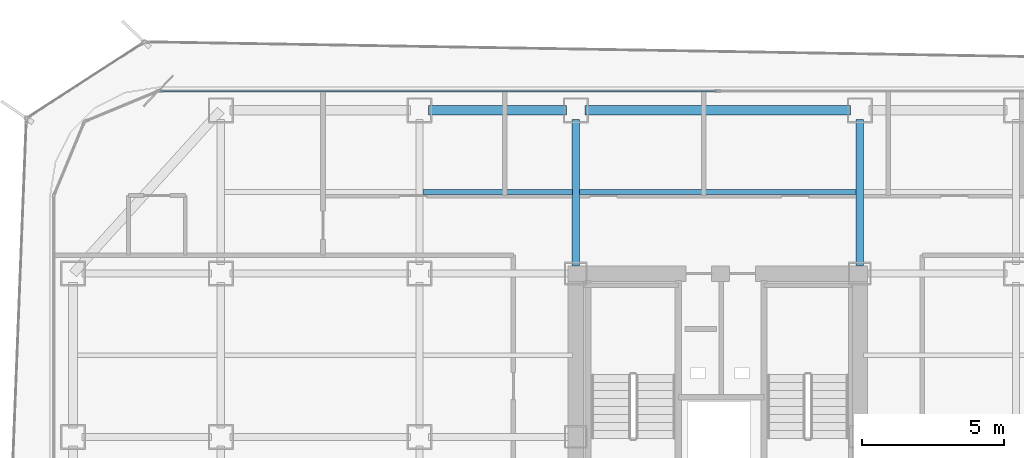
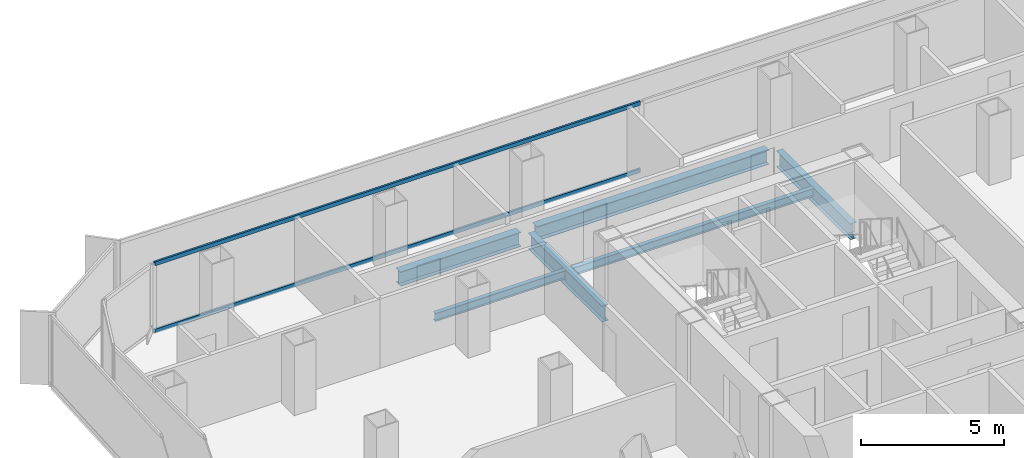
# One storey, part 11 of 21: 6 beams, 2 members, 1 element without a shape of its own.
"""IFC4 building model written with IfcOpenShell, lengths in metres."""

from ifc_helpers import new_model, si_unit, direction, frame, origin, origin_2d, place, context, subcontext, project, spatial, hollow_rectangle, i_section, extrude, source, transform, mapped, material, layer, layer_set, material_profile, profile_set, type_object, element, aggregate, save


model = new_model("IFC4")

# Units and contexts
model_context = context("Model", 3, precision=1e-05, world=origin(), true_north=direction((0.0, 1.0)))
body_context = subcontext(model_context, "Body", "Model", "MODEL_VIEW")
ifc_project = project(units=[si_unit("LENGTHUNIT", "METRE"), si_unit("AREAUNIT", "SQUARE_METRE"), si_unit("VOLUMEUNIT", "CUBIC_METRE"), si_unit("PLANEANGLEUNIT", "RADIAN"), si_unit("MASSUNIT", "GRAM", prefix="KILO")], contexts=[model_context])

# Site, building, storey
site_placement = place(None, origin())
site = spatial("IfcSite", under=ifc_project, at=site_placement, CompositionType="ELEMENT")
building_placement = place(site_placement, origin())
building = spatial("IfcBuilding", under=site, at=building_placement, Name="Kolveth Station Tower", CompositionType="ELEMENT")
storey_placement = place(building_placement, frame((0.0, 0.0, 124.699951171875)))
storey = spatial("IfcBuildingStorey", under=building, at=storey_placement, Name="L34", CompositionType="ELEMENT", Elevation=124.699951171875)

# Beams
ifc_material_1 = material(Name="Steel S355", Category="steel")
ifc_material_profile_1 = material_profile(ifc_material_1, i_section(OverallWidth=0.323974609375, OverallDepth=0.611083984375, WebThickness=0.0126953125, FlangeThickness=0.01904296875, at=origin_2d()), Name="W610x155")
ifc_profile_set_1 = profile_set([ifc_material_profile_1], Name="Steel S355")
beam_type_1 = type_object("IfcBeamType", Name="Beam_SP2", PredefinedType="SPANDREL", material=ifc_profile_set_1)
shared_shape_1 = source(origin(), body_context, "Body", "SweptSolid", [
    extrude(i_section(OverallWidth=0.323974609375, OverallDepth=0.611083984375, WebThickness=0.0126953125, FlangeThickness=0.01904296875, at=origin_2d()), origin(), (0.0, 0.0, 1.0), 4.85986328125),
])
beam_1_placement = place(storey_placement, frame((13.320068359375, 34.5, -0.555419921875), z_axis=(1.0, 0.0, 0.0), x_axis=(0.0, 1.0, 0.0)))
element("IfcBeam", 1, at=beam_1_placement, inside=storey, type_object=beam_type_1, Name="L34 Perimeter Spandrel BM-L34-PN-2", PredefinedType="SPANDREL", context=body_context, shape_type="MappedRepresentation", body=[
    mapped(shared_shape_1, transform((0.0, 0.0, 0.0), x_axis=(1.0, 0.0, 0.0), y_axis=(0.0, 1.0, 0.0), z_axis=(0.0, 0.0, 1.0), scale=1.0)),
])
shared_shape_2 = source(origin(), body_context, "Body", "SweptSolid", [
    extrude(i_section(OverallWidth=0.323974609375, OverallDepth=0.611083984375, WebThickness=0.0126953125, FlangeThickness=0.01904296875, at=origin_2d()), origin(), (0.0, 0.0, 1.0), 9.35986328125),
])
beam_2_placement = place(storey_placement, frame((18.820068359375, 34.5, -0.555419921875), z_axis=(1.0, 0.0, 0.0), x_axis=(0.0, 1.0, 0.0)))
element("IfcBeam", 2, at=beam_2_placement, inside=storey, type_object=beam_type_1, Name="L34 Perimeter Spandrel BM-L34-PN-3", PredefinedType="SPANDREL", context=body_context, shape_type="MappedRepresentation", body=[
    mapped(shared_shape_2, transform((0.0, 0.0, 0.0), x_axis=(1.0, 0.0, 0.0), y_axis=(0.0, 1.0, 0.0), z_axis=(0.0, 0.0, 1.0), scale=1.0)),
])
ifc_material_profile_2 = material_profile(ifc_material_1, i_section(OverallWidth=0.25390625, OverallDepth=0.68798828125, WebThickness=0.01318359375, FlangeThickness=0.02099609375, at=origin_2d()), Name="W690x152")
ifc_profile_set_2 = profile_set([ifc_material_profile_2], Name="Steel S355")
beam_type_2 = type_object("IfcBeamType", Name="Beam_B4", PredefinedType="BEAM", material=ifc_profile_set_2)
shared_shape_3 = source(origin(), body_context, "Body", "SweptSolid", [
    extrude(i_section(OverallWidth=0.25390625, OverallDepth=0.68798828125, WebThickness=0.01318359375, FlangeThickness=0.02099609375, at=origin_2d()), origin(), (0.0, 0.0, 1.0), 5.14990234375),
])
for number, where, z_axis, x_axis, name in (
    (3, (18.5, 29.030029296875, -0.593994140625), (0.0, 1.0, 0.0), (-1.0, 0.0, 0.0), "L34 Primary Girder BM-L34-GX185-6"),
    (4, (28.5, 29.030029296875, -0.593994140625), (0.0, 1.0, 0.0), (-1.0, 0.0, 0.0), "L34 Primary Girder BM-L34-GX285-6"),
):
    element("IfcBeam", number, at=place(storey_placement, frame(where, z_axis=z_axis, x_axis=x_axis)), inside=storey, type_object=beam_type_2, Name=name, PredefinedType="BEAM", context=body_context, shape_type="MappedRepresentation", body=[
        mapped(shared_shape_3, transform((0.0, 0.0, 0.0), x_axis=(1.0, 0.0, 0.0), y_axis=(0.0, 1.0, 0.0), z_axis=(0.0, 0.0, 1.0), scale=1.0)),
    ])
ifc_material_profile_3 = material_profile(ifc_material_1, i_section(OverallWidth=0.1708984375, OverallDepth=0.35205078125, WebThickness=0.0068359375, FlangeThickness=0.009765625, at=origin_2d()), Name="W360x44")
ifc_profile_set_3 = profile_set([ifc_material_profile_3], Name="Steel S355")
beam_type_3 = type_object("IfcBeamType", Name="Beam_J2", PredefinedType="JOIST", material=ifc_profile_set_3)
shared_shape_4 = source(origin(), body_context, "Body", "SweptSolid", [
    extrude(i_section(OverallWidth=0.1708984375, OverallDepth=0.35205078125, WebThickness=0.0068359375, FlangeThickness=0.009765625, at=origin_2d()), origin(), (0.0, 0.0, 1.0), 5.25),
])
beam_3_placement = place(storey_placement, frame((13.125, 31.625, -0.426025390625), z_axis=(1.0, 0.0, 0.0), x_axis=(0.0, 1.0, 0.0)))
element("IfcBeam", 5, at=beam_3_placement, inside=storey, type_object=beam_type_3, Name="L34 Secondary Joist JST-L34-3-6", PredefinedType="JOIST", context=body_context, shape_type="MappedRepresentation", body=[
    mapped(shared_shape_4, transform((0.0, 0.0, 0.0), x_axis=(1.0, 0.0, 0.0), y_axis=(0.0, 1.0, 0.0), z_axis=(0.0, 0.0, 1.0), scale=1.0)),
])
shared_shape_5 = source(origin(), body_context, "Body", "SweptSolid", [
    extrude(i_section(OverallWidth=0.1708984375, OverallDepth=0.35205078125, WebThickness=0.0068359375, FlangeThickness=0.009765625, at=origin_2d()), origin(), (0.0, 0.0, 1.0), 9.75),
])
beam_4_placement = place(storey_placement, frame((18.625, 31.625, -0.426025390625), z_axis=(1.0, 0.0, 0.0), x_axis=(0.0, 1.0, 0.0)))
element("IfcBeam", 6, at=beam_4_placement, inside=storey, type_object=beam_type_3, Name="L34 Secondary Joist JST-L34-4-6", PredefinedType="JOIST", context=body_context, shape_type="MappedRepresentation", body=[
    mapped(shared_shape_5, transform((0.0, 0.0, 0.0), x_axis=(1.0, 0.0, 0.0), y_axis=(0.0, 1.0, 0.0), z_axis=(0.0, 0.0, 1.0), scale=1.0)),
])

# Curtain wall, members
ifc_material_2 = material(Name="Aluminium 6063-T6 and low-E dark glass", Category="aluminium")
ifc_layer = layer(ifc_material_2, 0.18994140625)
ifc_layer_set = layer_set([ifc_layer], Name="Aluminium 6063-T6 and low-E dark glass")
curtain_wall_type = type_object("IfcCurtainWallType", Name="CurtainWall_CW-Z2", PredefinedType="NOTDEFINED", material=ifc_layer_set)
curtain_wall_placement = place(storey_placement, origin())
curtain_wall = element("IfcCurtainWall", 7, at=curtain_wall_placement, inside=storey, type_object=curtain_wall_type, Name="L34 Inner Thermal Curtain Wall 6", PredefinedType="NOTDEFINED")
ifc_material_3 = material(Name="Black anodized aluminium 6063-T6", Category="aluminium")
ifc_material_profile_4 = material_profile(ifc_material_3, hollow_rectangle(XDim=0.080078125, YDim=0.169921875, WallThickness=0.0048828125, at=origin_2d()), Name="ALU-80x170x5")
ifc_profile_set_4 = profile_set([ifc_material_profile_4], Name="Black anodized aluminium 6063-T6")
member_type = type_object("IfcMemberType", Name="Transom_TR2", PredefinedType="USERDEFINED", material=ifc_profile_set_4)
shared_shape_6 = source(origin(), body_context, "Body", "SweptSolid", [
    extrude(hollow_rectangle(XDim=0.080078125, YDim=0.169921875, WallThickness=0.0048828125, at=origin_2d()), origin(), (0.0, 0.0, 1.0), 19.580078125),
])
member_1_placement = place(storey_placement, frame((23.4599609375, 35.179931640625, 0.0400390625), z_axis=(-1.0, 0.0, 0.0), x_axis=(0.0, -1.0, 0.0)))
member_1 = element("IfcMember", 8, at=member_1_placement, type_object=member_type, Name="CW-Z2 transom 2.1", ObjectType="TRANSOM", PredefinedType="USERDEFINED", context=body_context, shape_type="MappedRepresentation", body=[
    mapped(shared_shape_6, transform((0.0, 0.0, 0.0), x_axis=(1.0, 0.0, 0.0), y_axis=(0.0, 1.0, 0.0), z_axis=(0.0, 0.0, 1.0), scale=1.0)),
])
member_2_placement = place(storey_placement, frame((23.4599609375, 35.179931640625, 2.91015625), z_axis=(-1.0, 0.0, 0.0), x_axis=(0.0, -1.0, 0.0)))
member_2 = element("IfcMember", 9, at=member_2_placement, type_object=member_type, Name="CW-Z2 transom 2.2", ObjectType="TRANSOM", PredefinedType="USERDEFINED", context=body_context, shape_type="MappedRepresentation", body=[
    mapped(shared_shape_6, transform((0.0, 0.0, 0.0), x_axis=(1.0, 0.0, 0.0), y_axis=(0.0, 1.0, 0.0), z_axis=(0.0, 0.0, 1.0), scale=1.0)),
])
aggregate(curtain_wall, [member_1, member_2])

save(model, "model.ifc")
